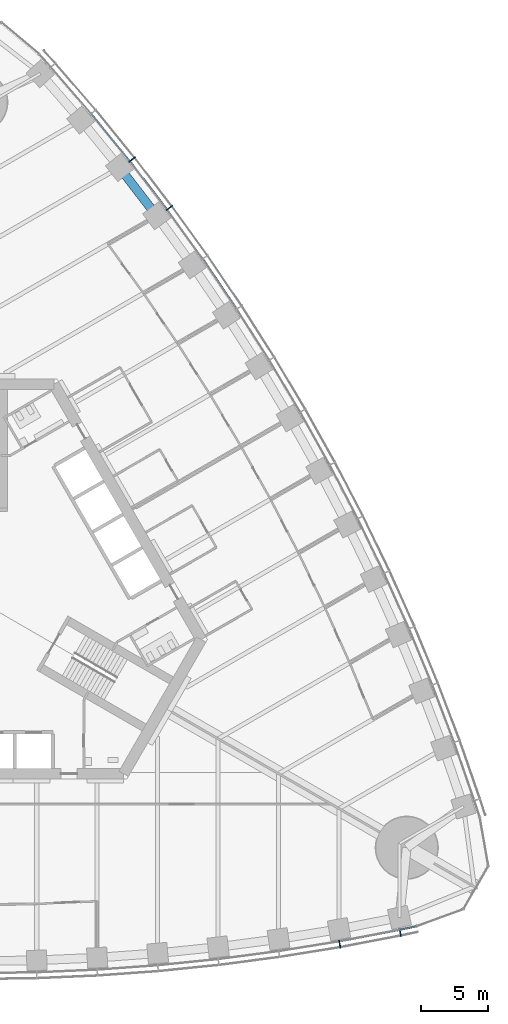
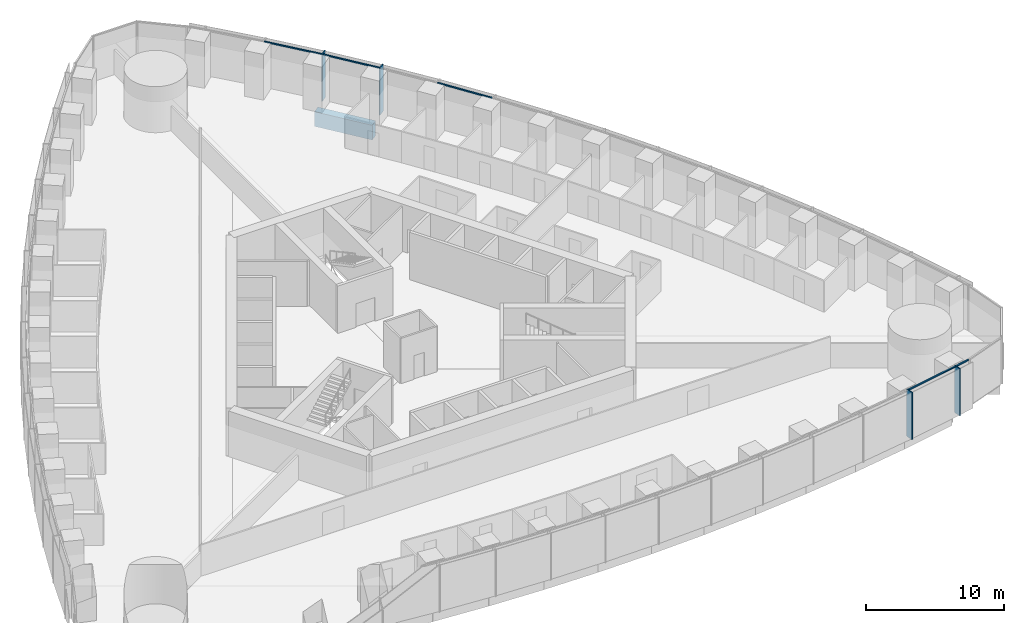
# One storey, part 5 of 18: 9 members, 1 beam, 2 elements without a shape of their own.
"""IFC4 building model written with IfcOpenShell, lengths in metres."""

from ifc_helpers import new_model, si_unit, direction, frame, origin, origin_2d, place, context, subcontext, project, spatial, rectangle, extrude, material, material_profile, profile_set, type_object, element, aggregate, save


model = new_model("IFC4")

# Units and contexts
model_context = context("Model", 3, precision=1e-05, world=origin(), true_north=direction((0.0, 1.0)))
body_context = subcontext(model_context, "Body", "Model", "MODEL_VIEW")
ifc_project = project(units=[si_unit("LENGTHUNIT", "METRE"), si_unit("AREAUNIT", "SQUARE_METRE"), si_unit("VOLUMEUNIT", "CUBIC_METRE"), si_unit("PLANEANGLEUNIT", "RADIAN"), si_unit("MASSUNIT", "GRAM", prefix="KILO")], contexts=[model_context])

# Site, building, storey
site_placement = place(None, origin())
site = spatial("IfcSite", under=ifc_project, at=site_placement, CompositionType="ELEMENT")
building_placement = place(site_placement, origin())
building = spatial("IfcBuilding", under=site, at=building_placement, Name="Trefoil Bronze Tower", CompositionType="ELEMENT")
storey_placement = place(building_placement, frame((0.0, 0.0, 54.300048828125)))
storey = spatial("IfcBuildingStorey", under=building, at=storey_placement, Name="L12", CompositionType="ELEMENT", Elevation=54.300048828125)

# Curtain wall, members
ifc_material_1 = material(Name="Tinted solar-control glass", Category="glass")
curtain_wall_type = type_object("IfcCurtainWallType", Name="Bronze office curtain wall", PredefinedType="USERDEFINED", material=ifc_material_1)
curtain_wall_1_placement = place(storey_placement, origin())
curtain_wall_1 = element("IfcCurtainWall", 1, at=curtain_wall_1_placement, inside=storey, type_object=curtain_wall_type, Name="CW-A L12 F1", ObjectType="CURTAIN WALL", PredefinedType="USERDEFINED")
ifc_material_2 = material(Name="Bronze-finish aluminium", Category="aluminium")
ifc_material_profile_1 = material_profile(ifc_material_2, rectangle(XDim=0.60009765625, YDim=0.080078125, at=origin_2d()), Name="CW-A mullion")
ifc_profile_set_1 = profile_set([ifc_material_profile_1], Name="Bronze-finish aluminium")
member_type_1 = type_object("IfcMemberType", Name="Bronze office curtain wall mullion", PredefinedType="MULLION", material=ifc_profile_set_1)
member_1_placement = place(storey_placement, frame((27.05224609375, -25.67578125, 0.0), z_axis=(0.0, 0.0, 1.0), x_axis=(-0.174131146426, 0.984722470468, 0.0)))
member_1 = element("IfcMember", 2, at=member_1_placement, type_object=member_type_1, Name="CW-A L12 F1 mullion 15", PredefinedType="MULLION", context=body_context, shape_type="SweptSolid", body=[
    extrude(rectangle(XDim=0.60009765625, YDim=0.080078125, at=origin_2d()), origin(), (0.0, 0.0, 1.0), 4.179931640625),
])
member_2_placement = place(storey_placement, frame((31.559326171875, -24.81005859375, 0.0), z_axis=(0.0, 0.0, 1.0), x_axis=(-0.197910006829, 0.98022019424, 0.0)))
member_2 = element("IfcMember", 3, at=member_2_placement, type_object=member_type_1, Name="CW-A L12 F1 mullion 16", PredefinedType="MULLION", context=body_context, shape_type="SweptSolid", body=[
    extrude(rectangle(XDim=0.60009765625, YDim=0.080078125, at=origin_2d()), origin(), (0.0, 0.0, 1.0), 4.179931640625),
])

curtain_wall_2_placement = place(storey_placement, origin())
curtain_wall_2 = element("IfcCurtainWall", 4, at=curtain_wall_2_placement, inside=storey, type_object=curtain_wall_type, Name="CW-A L12 F2", ObjectType="CURTAIN WALL", PredefinedType="USERDEFINED")
member_3_placement = place(storey_placement, frame((14.364013671875, 29.117919921875, 0.0), z_axis=(0.0, 0.0, 1.0), x_axis=(-0.802126748469, -0.59715381552, 0.0)))
member_3 = element("IfcMember", 5, at=member_3_placement, type_object=member_type_1, Name="CW-A L12 F2 mullion 13", PredefinedType="MULLION", context=body_context, shape_type="SweptSolid", body=[
    extrude(rectangle(XDim=0.60009765625, YDim=0.080078125, at=origin_2d()), origin(), (0.0, 0.0, 1.0), 4.179931640625),
])
member_4_placement = place(storey_placement, frame((11.595458984375, 32.7255859375, 0.0), z_axis=(0.0, 0.0, 1.0), x_axis=(-0.784304615744, -0.620375910011, 0.0)))
member_4 = element("IfcMember", 6, at=member_4_placement, type_object=member_type_1, Name="CW-A L12 F2 mullion 14", PredefinedType="MULLION", context=body_context, shape_type="SweptSolid", body=[
    extrude(rectangle(XDim=0.60009765625, YDim=0.080078125, at=origin_2d()), origin(), (0.0, 0.0, 1.0), 4.179931640625),
])

# Member
ifc_material_3 = material(Name="Bronze-finish aluminium", Category="aluminium")
ifc_material_profile_2 = material_profile(ifc_material_3, rectangle(XDim=0.1201171875, YDim=0.10009765625, at=origin_2d()), Name="CW-A transom")
ifc_profile_set_2 = profile_set([ifc_material_profile_2], Name="Bronze-finish aluminium")
member_type_2 = type_object("IfcMemberType", Name="Bronze office curtain wall transom", PredefinedType="USERDEFINED", material=ifc_profile_set_2)
member_5_placement = place(storey_placement, frame((27.05810546875, -25.470947265625, 4.1298828125), z_axis=(0.982053603997, 0.188602011855, 0.0), x_axis=(-0.188602011855, 0.982053603997, 0.0)))
member_5 = element("IfcMember", 7, at=member_5_placement, type_object=member_type_2, Name="CW-A L12 F1 transom 15", ObjectType="TRANSOM", PredefinedType="USERDEFINED", context=body_context, shape_type="SweptSolid", body=[
    extrude(rectangle(XDim=0.1201171875, YDim=0.10009765625, at=origin_2d()), origin(), (0.0, 0.0, 1.0), 4.502197265625),
])

member_6_placement = place(storey_placement, frame((31.559814453125, -24.605712890625, 4.1298828125), z_axis=(0.978266371807, 0.207352129942, 0.0), x_axis=(-0.207352129942, 0.978266371807, 0.0)))
member_6 = element("IfcMember", 8, at=member_6_placement, type_object=member_type_2, Name="CW-A L12 F1 transom 16", ObjectType="TRANSOM", PredefinedType="USERDEFINED", context=body_context, shape_type="SweptSolid", body=[
    extrude(rectangle(XDim=0.1201171875, YDim=0.10009765625, at=origin_2d()), origin(), (0.0, 0.0, 1.0), 1.21044921875),
])

aggregate(curtain_wall_1, [member_1, member_2, member_5, member_6])

member_7_placement = place(storey_placement, frame((19.364990234375, 21.627197265625, 4.1298828125), z_axis=(-0.561508153923, 0.827471203775, 0.0), x_axis=(-0.827471203775, -0.561508153923, 0.0)))
member_7 = element("IfcMember", 9, at=member_7_placement, type_object=member_type_2, Name="CW-A L12 F2 transom 11", ObjectType="TRANSOM", PredefinedType="USERDEFINED", context=body_context, shape_type="SweptSolid", body=[
    extrude(rectangle(XDim=0.1201171875, YDim=0.10009765625, at=origin_2d()), origin(), (0.0, 0.0, 1.0), 4.431884765625),
])

member_8_placement = place(storey_placement, frame((14.178466796875, 29.031494140625, 4.1298828125), z_axis=(-0.608829203216, 0.793301330713, 0.0), x_axis=(-0.793301330713, -0.608829203216, 0.0)))
member_8 = element("IfcMember", 10, at=member_8_placement, type_object=member_type_2, Name="CW-A L12 F2 transom 13", ObjectType="TRANSOM", PredefinedType="USERDEFINED", context=body_context, shape_type="SweptSolid", body=[
    extrude(rectangle(XDim=0.1201171875, YDim=0.10009765625, at=origin_2d()), origin(), (0.0, 0.0, 1.0), 4.458740234375),
])

member_9_placement = place(storey_placement, frame((11.412353515625, 32.6337890625, 4.1298828125), z_axis=(-0.631835540201, 0.775102477185, 0.0), x_axis=(-0.775102477185, -0.631835540201, 0.0)))
member_9 = element("IfcMember", 11, at=member_9_placement, type_object=member_type_2, Name="CW-A L12 F2 transom 14", ObjectType="TRANSOM", PredefinedType="USERDEFINED", context=body_context, shape_type="SweptSolid", body=[
    extrude(rectangle(XDim=0.1201171875, YDim=0.10009765625, at=origin_2d()), origin(), (0.0, 0.0, 1.0), 4.478271484375),
])

aggregate(curtain_wall_2, [member_3, member_4, member_7, member_8, member_9])

# Beam
ifc_material_4 = material(Name="Concrete B80", Category="concrete")
ifc_material_profile_3 = material_profile(ifc_material_4, rectangle(XDim=0.64990234375, YDim=1.300048828125, at=origin_2d()), Name="RC 650x1300")
ifc_profile_set_3 = profile_set([ifc_material_profile_3], Name="Concrete B80")
beam_type = type_object("IfcBeamType", Name="Spandrel beam RC 650x1300", PredefinedType="SPANDREL", material=ifc_profile_set_3)
beam_placement = place(storey_placement, frame((13.42578125, 28.5361328125, -0.85009765625), z_axis=(-0.609338992146, 0.792909826305, 0.0), x_axis=(-0.792909826305, -0.609338992146, 0.0)))
element("IfcBeam", 12, at=beam_placement, inside=storey, type_object=beam_type, Name="Spandrel F2.13 L12", PredefinedType="SPANDREL", context=body_context, shape_type="SweptSolid", body=[
    extrude(rectangle(XDim=0.64990234375, YDim=1.300048828125, at=origin_2d()), origin(), (0.0, 0.0, 1.0), 4.5390625),
])

save(model, "model.ifc")
